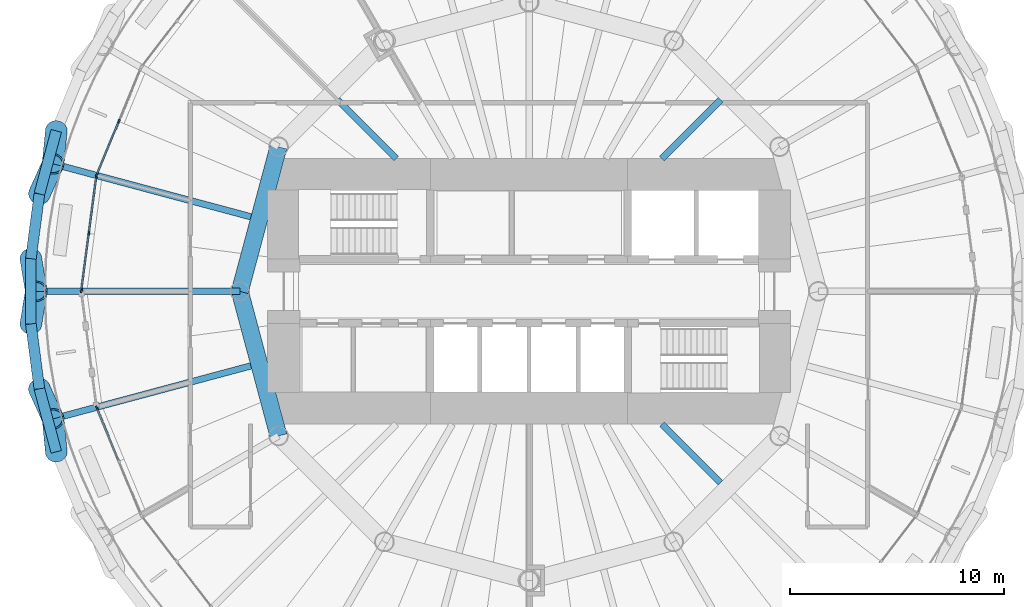
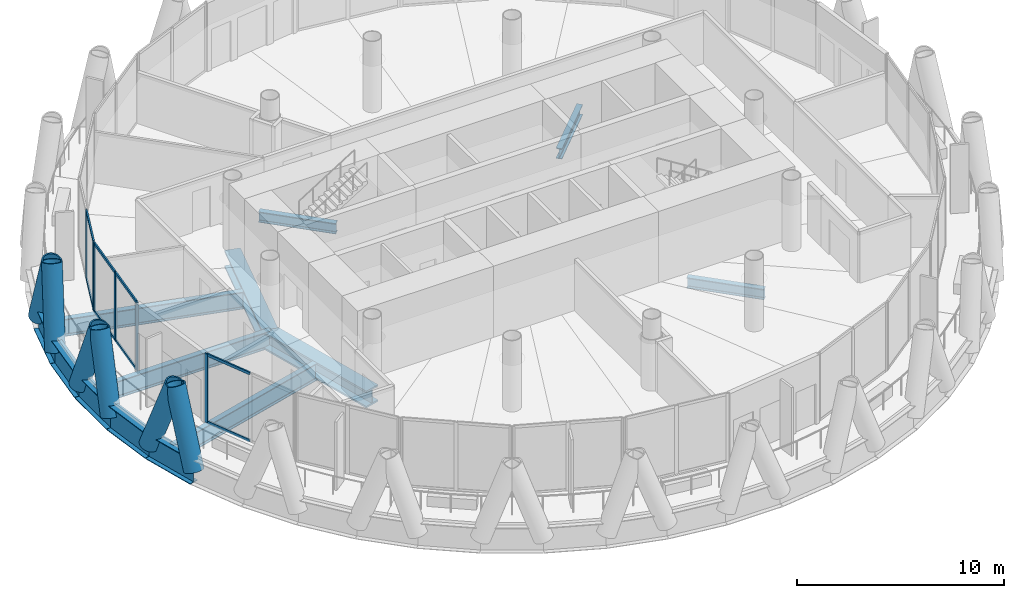
# One storey, part 3 of 14: 20 members, 13 beams, 3 elements without a shape of their own.
"""IFC4 building model written with IfcOpenShell, lengths in metres."""

from ifc_helpers import new_model, si_unit, direction, frame, origin, origin_2d, place, context, subcontext, project, spatial, rectangle, hollow_circle, i_section, extrude, material, material_profile, profile_set, type_object, element, aggregate, save


model = new_model("IFC4")

# Units and contexts
model_context = context("Model", 3, precision=1e-05, world=origin(), true_north=direction((0.0, 1.0)))
body_context = subcontext(model_context, "Body", "Model", "MODEL_VIEW")
ifc_project = project(units=[si_unit("LENGTHUNIT", "METRE"), si_unit("AREAUNIT", "SQUARE_METRE"), si_unit("VOLUMEUNIT", "CUBIC_METRE"), si_unit("PLANEANGLEUNIT", "RADIAN"), si_unit("MASSUNIT", "GRAM", prefix="KILO")], contexts=[model_context])

# Site, building, storey
site_placement = place(None, origin())
site = spatial("IfcSite", under=ifc_project, at=site_placement, CompositionType="ELEMENT")
building_placement = place(site_placement, origin())
building = spatial("IfcBuilding", under=site, at=building_placement, Name="Qaws Media Tower", CompositionType="ELEMENT")
storey_placement = place(building_placement, frame((0.0, 0.0, 206.60009765625)))
storey = spatial("IfcBuildingStorey", under=building, at=storey_placement, Name="L47", CompositionType="ELEMENT", Elevation=206.60009765625)

# Curtain wall, members
ifc_material_1 = material(Name="Aluminium and clear glass", Category="aluminium")
curtain_wall_type = type_object("IfcCurtainWallType", Name="Unitised curtain wall CW-C", PredefinedType="NOTDEFINED", material=ifc_material_1)
curtain_wall_1_placement = place(storey_placement, origin())
curtain_wall_1 = element("IfcCurtainWall", 1, at=curtain_wall_1_placement, inside=storey, type_object=curtain_wall_type, Name="CWC curtain wall L47-11", PredefinedType="NOTDEFINED")
ifc_material_2 = material(Name="Aluminium mullion", Category="aluminium")
ifc_material_profile_1 = material_profile(ifc_material_2, rectangle(XDim=0.080078125, YDim=0.199951171875, at=origin_2d()), Name="80x200")
ifc_profile_set_1 = profile_set([ifc_material_profile_1], Name="Aluminium mullion")
member_type_1 = type_object("IfcMemberType", Name="Curtain wall mullion 80x200", PredefinedType="MULLION", material=ifc_profile_set_1)
member_1_placement = place(storey_placement, frame((40.856201171875, 57.9296875, 0.0), z_axis=(0.0, 0.0, 1.0), x_axis=(0.92387952266, -0.382683456149, 0.0)))
member_1 = element("IfcMember", 2, at=member_1_placement, type_object=member_type_1, Name="CWC mullion 2", PredefinedType="MULLION", context=body_context, shape_type="SweptSolid", body=[
    extrude(rectangle(XDim=0.080078125, YDim=0.199951171875, at=origin_2d()), origin(), (0.0, 0.0, 1.0), 4.039794921875),
])
member_2_placement = place(storey_placement, frame((39.827392578125, 55.4462890625, 0.0), z_axis=(0.0, 0.0, 1.0), x_axis=(0.92387952266, -0.382683456149, 0.0)))
member_2 = element("IfcMember", 3, at=member_2_placement, type_object=member_type_1, Name="CWC mullion 3", PredefinedType="MULLION", context=body_context, shape_type="SweptSolid", body=[
    extrude(rectangle(XDim=0.080078125, YDim=0.199951171875, at=origin_2d()), origin(), (0.0, 0.0, 1.0), 4.039794921875),
])

curtain_wall_2_placement = place(storey_placement, origin())
curtain_wall_2 = element("IfcCurtainWall", 4, at=curtain_wall_2_placement, inside=storey, type_object=curtain_wall_type, Name="CWC curtain wall L47-12", PredefinedType="NOTDEFINED")
member_3_placement = place(storey_placement, frame((39.806884765625, 55.36962890625, 0.0), z_axis=(0.0, 0.0, 1.0), x_axis=(0.991444866709, -0.130526151694, 0.0)))
member_3 = element("IfcMember", 5, at=member_3_placement, type_object=member_type_1, Name="CWC mullion 1", PredefinedType="MULLION", context=body_context, shape_type="SweptSolid", body=[
    extrude(rectangle(XDim=0.080078125, YDim=0.199951171875, at=origin_2d()), origin(), (0.0, 0.0, 1.0), 4.039794921875),
])
member_4_placement = place(storey_placement, frame((39.4560546875, 52.70458984375, 0.0), z_axis=(0.0, 0.0, 1.0), x_axis=(0.991444866709, -0.130526151694, 0.0)))
member_4 = element("IfcMember", 6, at=member_4_placement, type_object=member_type_1, Name="CWC mullion 2", PredefinedType="MULLION", context=body_context, shape_type="SweptSolid", body=[
    extrude(rectangle(XDim=0.080078125, YDim=0.199951171875, at=origin_2d()), origin(), (0.0, 0.0, 1.0), 4.039794921875),
])
member_5_placement = place(storey_placement, frame((39.105224609375, 50.03955078125, 0.0), z_axis=(0.0, 0.0, 1.0), x_axis=(0.991444866709, -0.130526151694, 0.0)))
member_5 = element("IfcMember", 7, at=member_5_placement, type_object=member_type_1, Name="CWC mullion 3", PredefinedType="MULLION", context=body_context, shape_type="SweptSolid", body=[
    extrude(rectangle(XDim=0.080078125, YDim=0.199951171875, at=origin_2d()), origin(), (0.0, 0.0, 1.0), 4.039794921875),
])

# Curtain wall, member
curtain_wall_3_placement = place(storey_placement, origin())
curtain_wall_3 = element("IfcCurtainWall", 8, at=curtain_wall_3_placement, inside=storey, type_object=curtain_wall_type, Name="CWC curtain wall L47-14", PredefinedType="NOTDEFINED")
member_6_placement = place(storey_placement, frame((39.827392578125, 44.5537109375, 0.0), z_axis=(0.0, 0.0, 1.0), x_axis=(0.92387952266, 0.382683456149, 0.0)))
member_6 = element("IfcMember", 9, at=member_6_placement, type_object=member_type_1, Name="CWC mullion 1", PredefinedType="MULLION", context=body_context, shape_type="SweptSolid", body=[
    extrude(rectangle(XDim=0.080078125, YDim=0.199951171875, at=origin_2d()), origin(), (0.0, 0.0, 1.0), 4.039794921875),
])

# Member
ifc_material_3 = material(Name="Aluminium transom", Category="aluminium")
ifc_material_profile_2 = material_profile(ifc_material_3, rectangle(XDim=0.080078125, YDim=0.159912109375, at=origin_2d()), Name="80x160")
ifc_profile_set_2 = profile_set([ifc_material_profile_2], Name="Aluminium transom")
member_type_2 = type_object("IfcMemberType", Name="Curtain wall transom 80x160", PredefinedType="USERDEFINED", material=ifc_profile_set_2)
member_7_placement = place(storey_placement, frame((40.8408203125, 57.892822265625, 0.039794921875), z_axis=(-0.382660432893, -0.923889058869, 0.0), x_axis=(0.923889058869, -0.382660432893, 0.0)))
member_7 = element("IfcMember", 10, at=member_7_placement, type_object=member_type_2, Name="CWC transom 2.1", ObjectType="TRANSOM", PredefinedType="USERDEFINED", context=body_context, shape_type="SweptSolid", body=[
    extrude(rectangle(XDim=0.080078125, YDim=0.159912109375, at=origin_2d()), origin(), (0.0, 0.0, 1.0), 2.608154296875),
])

member_8_placement = place(storey_placement, frame((40.8408203125, 57.892822265625, 4.0), z_axis=(-0.382660432893, -0.923889058869, 0.0), x_axis=(0.923889058869, -0.382660432893, 0.0)))
member_8 = element("IfcMember", 11, at=member_8_placement, type_object=member_type_2, Name="CWC transom 2.2", ObjectType="TRANSOM", PredefinedType="USERDEFINED", context=body_context, shape_type="SweptSolid", body=[
    extrude(rectangle(XDim=0.080078125, YDim=0.159912109375, at=origin_2d()), origin(), (0.0, 0.0, 1.0), 2.608154296875),
])

aggregate(curtain_wall_1, [member_1, member_2, member_7, member_8])

member_9_placement = place(storey_placement, frame((39.8017578125, 55.330078125, 0.039794921875), z_axis=(-0.130587695544, -0.991436762367, 0.0), x_axis=(0.991436762367, -0.130587695544, 0.0)))
member_9 = element("IfcMember", 12, at=member_9_placement, type_object=member_type_2, Name="CWC transom 1.1", ObjectType="TRANSOM", PredefinedType="USERDEFINED", context=body_context, shape_type="SweptSolid", body=[
    extrude(rectangle(XDim=0.080078125, YDim=0.159912109375, at=origin_2d()), origin(), (0.0, 0.0, 1.0), 2.60791015625),
])

member_10_placement = place(storey_placement, frame((39.8017578125, 55.330078125, 4.0), z_axis=(-0.130587695544, -0.991436762367, 0.0), x_axis=(0.991436762367, -0.130587695544, 0.0)))
member_10 = element("IfcMember", 13, at=member_10_placement, type_object=member_type_2, Name="CWC transom 1.2", ObjectType="TRANSOM", PredefinedType="USERDEFINED", context=body_context, shape_type="SweptSolid", body=[
    extrude(rectangle(XDim=0.080078125, YDim=0.159912109375, at=origin_2d()), origin(), (0.0, 0.0, 1.0), 2.60791015625),
])

member_11_placement = place(storey_placement, frame((39.450927734375, 52.6650390625, 0.039794921875), z_axis=(-0.130587695544, -0.991436762367, 0.0), x_axis=(0.991436762367, -0.130587695544, 0.0)))
member_11 = element("IfcMember", 14, at=member_11_placement, type_object=member_type_2, Name="CWC transom 2.1", ObjectType="TRANSOM", PredefinedType="USERDEFINED", context=body_context, shape_type="SweptSolid", body=[
    extrude(rectangle(XDim=0.080078125, YDim=0.159912109375, at=origin_2d()), origin(), (0.0, 0.0, 1.0), 2.60791015625),
])

member_12_placement = place(storey_placement, frame((39.450927734375, 52.6650390625, 4.0), z_axis=(-0.130587695544, -0.991436762367, 0.0), x_axis=(0.991436762367, -0.130587695544, 0.0)))
member_12 = element("IfcMember", 15, at=member_12_placement, type_object=member_type_2, Name="CWC transom 2.2", ObjectType="TRANSOM", PredefinedType="USERDEFINED", context=body_context, shape_type="SweptSolid", body=[
    extrude(rectangle(XDim=0.080078125, YDim=0.159912109375, at=origin_2d()), origin(), (0.0, 0.0, 1.0), 2.60791015625),
])

aggregate(curtain_wall_2, [member_3, member_4, member_5, member_9, member_10, member_11, member_12])

member_13_placement = place(storey_placement, frame((39.8427734375, 44.516845703125, 0.039794921875), z_axis=(0.382660432893, -0.923889058869, 0.0), x_axis=(0.923889058869, 0.382660432893, 0.0)))
member_13 = element("IfcMember", 16, at=member_13_placement, type_object=member_type_2, Name="CWC transom 1.1", ObjectType="TRANSOM", PredefinedType="USERDEFINED", context=body_context, shape_type="SweptSolid", body=[
    extrude(rectangle(XDim=0.080078125, YDim=0.159912109375, at=origin_2d()), origin(), (0.0, 0.0, 1.0), 2.608154296875),
])

member_14_placement = place(storey_placement, frame((39.8427734375, 44.516845703125, 4.0), z_axis=(0.382660432893, -0.923889058869, 0.0), x_axis=(0.923889058869, 0.382660432893, 0.0)))
member_14 = element("IfcMember", 17, at=member_14_placement, type_object=member_type_2, Name="CWC transom 1.2", ObjectType="TRANSOM", PredefinedType="USERDEFINED", context=body_context, shape_type="SweptSolid", body=[
    extrude(rectangle(XDim=0.080078125, YDim=0.159912109375, at=origin_2d()), origin(), (0.0, 0.0, 1.0), 2.608154296875),
])

aggregate(curtain_wall_3, [member_6, member_13, member_14])

# Members
ifc_material_4 = material(Name="Steel S460", Category="steel")
ifc_material_profile_3 = material_profile(ifc_material_4, hollow_circle(Radius=0.508056640625, WallThickness=0.070068359375, at=origin_2d()), Name="CHS 1016x70")
ifc_profile_set_3 = profile_set([ifc_material_profile_3], Name="Steel S460")
member_type_3 = type_object("IfcMemberType", Name="Diagrid member CHS 1016x70", PredefinedType="USERDEFINED", material=ifc_profile_set_3)
for number, where, z_axis, x_axis, name in (
    (18, (37.9365234375, 57.489501953125, -0.91015625), (-0.034153665458, -0.343391645998, 0.938571097251), (0.99509027013, -0.098971482221, 0.0), "DG3 diagrid L47 A11"),
    (19, (36.75, 51.52392578125, -0.91015625), (0.055867575283, -0.340552153241, 0.938564353124), (0.986809454088, 0.161886075134, 0.0), "DG3 diagrid L47 A12"),
    (20, (37.147705078125, 54.545654296875, -0.91015625), (0.142124356415, 0.314474007821, 0.938566335279), (-0.911257699186, 0.411836624979, 0.0), "DG3 diagrid L47 B12"),
    (21, (37.147705078125, 45.454345703125, -0.91015625), (0.142124356415, -0.314474007821, 0.938566335279), (0.911257699186, 0.411836624979, 0.0), "DG3 diagrid L47 A13"),
    (22, (36.75, 48.47607421875, -0.91015625), (0.055867575283, 0.340552153241, 0.938564353124), (-0.986809454088, 0.161886075134, 0.0), "DG3 diagrid L47 B13"),
    (23, (37.9365234375, 42.510498046875, -0.91015625), (-0.034153665458, 0.343391645998, 0.938571097251), (-0.99509027013, -0.098971482221, 0.0), "DG3 diagrid L47 B14"),
):
    element("IfcMember", number, at=place(storey_placement, frame(where, z_axis=z_axis, x_axis=x_axis)), inside=storey, type_object=member_type_3, Name=name, ObjectType="DIAGRID", PredefinedType="USERDEFINED", context=body_context, shape_type="SweptSolid", body=[
        extrude(hollow_circle(Radius=0.508056640625, WallThickness=0.070068359375, at=origin_2d()), origin(), (0.0, 0.0, 1.0), 4.474853515625),
    ])

# Beams
ifc_material_5 = material(Name="Steel S460", Category="steel")
ifc_material_profile_4 = material_profile(ifc_material_5, i_section(OverallWidth=0.5, OverallDepth=1.5, WebThickness=0.02001953125, FlangeThickness=0.0400390625, at=origin_2d()), Name="PG 1500x500")
ifc_profile_set_4 = profile_set([ifc_material_profile_4], Name="Steel S460")
beam_type_1 = type_object("IfcBeamType", Name="Edge ring beam PG 1500x500", PredefinedType="BEAM", material=ifc_profile_set_4)
beam_1_placement = place(storey_placement, frame((37.9365234375, 57.489501953125, -0.91015625), z_axis=(-0.258824175106, -0.965924451694, 0.0), x_axis=(0.965924451694, -0.258824175106, 0.0)))
element("IfcBeam", 24, at=beam_1_placement, inside=storey, type_object=beam_type_1, Name="RB4 edge ring beam L47-22", PredefinedType="BEAM", context=body_context, shape_type="SweptSolid", body=[
    extrude(i_section(OverallWidth=0.5, OverallDepth=1.5, WebThickness=0.02001953125, FlangeThickness=0.0400390625, at=origin_2d()), origin(), (0.0, 0.0, 1.0), 3.047607421875),
])
for number, where, z_axis, x_axis, name in (
    (25, (37.147705078125, 54.545654296875, -0.91015625), (-0.130489738706, -0.991449659888, 0.0), (0.991449659888, -0.130489738706, 0.0), "RB4 edge ring beam L47-23"),
    (26, (36.75, 51.52392578125, -0.91015625), (0.0, -1.0, 0.0), (1.0, 0.0, 0.0), "RB4 edge ring beam L47-24"),
    (27, (36.75, 48.47607421875, -0.91015625), (0.130489738706, -0.991449659888, 0.0), (0.991449659888, 0.130489738706, 0.0), "RB4 edge ring beam L47-25"),
):
    element("IfcBeam", number, at=place(storey_placement, frame(where, z_axis=z_axis, x_axis=x_axis)), inside=storey, type_object=beam_type_1, Name=name, PredefinedType="BEAM", context=body_context, shape_type="SweptSolid", body=[
        extrude(i_section(OverallWidth=0.5, OverallDepth=1.5, WebThickness=0.02001953125, FlangeThickness=0.0400390625, at=origin_2d()), origin(), (0.0, 0.0, 1.0), 3.0478515625),
    ])
beam_2_placement = place(storey_placement, frame((37.147705078125, 45.454345703125, -0.91015625), z_axis=(0.258824175106, -0.965924451694, 0.0), x_axis=(0.965924451694, 0.258824175106, 0.0)))
element("IfcBeam", 28, at=beam_2_placement, inside=storey, type_object=beam_type_1, Name="RB4 edge ring beam L47-26", PredefinedType="BEAM", context=body_context, shape_type="SweptSolid", body=[
    extrude(i_section(OverallWidth=0.5, OverallDepth=1.5, WebThickness=0.02001953125, FlangeThickness=0.0400390625, at=origin_2d()), origin(), (0.0, 0.0, 1.0), 3.047607421875),
])
ifc_material_6 = material(Name="Steel S460", Category="steel")
ifc_material_profile_5 = material_profile(ifc_material_6, i_section(OverallWidth=0.800048828125, OverallDepth=1.0, WebThickness=0.0400390625, FlangeThickness=0.10009765625, at=origin_2d()), Name="PG 1000x800")
ifc_profile_set_5 = profile_set([ifc_material_profile_5], Name="Steel S460")
beam_type_2 = type_object("IfcBeamType", Name="Inner ring girder PG 1000x800", PredefinedType="BEAM", material=ifc_profile_set_5)
for number, where, z_axis, x_axis, name in (
    (29, (48.30859375, 56.75, -0.66015625), (-0.258810593767, -0.965928090778, 0.0), (0.965928090778, -0.258810593767, 0.0), "B3 inner ring beam L47 I06-I07"),
    (30, (46.5, 50.0, -0.66015625), (0.258810593767, -0.965928090778, 0.0), (0.965928090778, 0.258810593767, 0.0), "B3 inner ring beam L47 I07-I08"),
):
    element("IfcBeam", number, at=place(storey_placement, frame(where, z_axis=z_axis, x_axis=x_axis)), inside=storey, type_object=beam_type_2, Name=name, PredefinedType="BEAM", context=body_context, shape_type="SweptSolid", body=[
        extrude(i_section(OverallWidth=0.800048828125, OverallDepth=1.0, WebThickness=0.0400390625, FlangeThickness=0.10009765625, at=origin_2d()), origin(), (0.0, 0.0, 1.0), 6.988037109375),
    ])
ifc_material_7 = material(Name="Steel S355", Category="steel")
ifc_material_profile_6 = material_profile(ifc_material_7, i_section(OverallWidth=0.302001953125, OverallDepth=1.008056640625, WebThickness=0.02099609375, FlangeThickness=0.0400390625, FilletRadius=0.030029296875, at=origin_2d()), Name="HE 1000 M")
ifc_profile_set_6 = profile_set([ifc_material_profile_6], Name="Steel S355")
beam_type_3 = type_object("IfcBeamType", Name="Radial beam HE 1000 M", PredefinedType="BEAM", material=ifc_profile_set_6)
beam_3_placement = place(storey_placement, frame((47.01806640625, 53.478515625, -0.6640625), z_axis=(-0.965925278817, 0.258821088287, 0.0), x_axis=(-0.258821088287, -0.965925278817, 0.0)))
element("IfcBeam", 31, at=beam_3_placement, inside=storey, type_object=beam_type_3, Name="B1 radial beam L47 12", PredefinedType="BEAM", context=body_context, shape_type="SweptSolid", body=[
    extrude(i_section(OverallWidth=0.302001953125, OverallDepth=1.008056640625, WebThickness=0.02099609375, FlangeThickness=0.0400390625, FilletRadius=0.030029296875, at=origin_2d()), origin(), (0.0, 0.0, 1.0), 9.81005859375),
])
beam_4_placement = place(storey_placement, frame((46.5, 50.0, -0.6640625), z_axis=(-1.0, 0.0, 0.0), x_axis=(0.0, -1.0, 0.0)))
element("IfcBeam", 32, at=beam_4_placement, inside=storey, type_object=beam_type_3, Name="B1 radial beam L47 13", PredefinedType="BEAM", context=body_context, shape_type="SweptSolid", body=[
    extrude(i_section(OverallWidth=0.302001953125, OverallDepth=1.008056640625, WebThickness=0.02099609375, FlangeThickness=0.0400390625, FilletRadius=0.030029296875, at=origin_2d()), origin(), (0.0, 0.0, 1.0), 9.75),
])
beam_5_placement = place(storey_placement, frame((47.01806640625, 46.521484375, -0.6640625), z_axis=(-0.965925278817, -0.258821088287, 0.0), x_axis=(0.258821088287, -0.965925278817, 0.0)))
element("IfcBeam", 33, at=beam_5_placement, inside=storey, type_object=beam_type_3, Name="B1 radial beam L47 14", PredefinedType="BEAM", context=body_context, shape_type="SweptSolid", body=[
    extrude(i_section(OverallWidth=0.302001953125, OverallDepth=1.008056640625, WebThickness=0.02099609375, FlangeThickness=0.0400390625, FilletRadius=0.030029296875, at=origin_2d()), origin(), (0.0, 0.0, 1.0), 9.81005859375),
])
ifc_material_8 = material(Name="Steel S355", Category="steel")
ifc_material_profile_7 = material_profile(ifc_material_8, i_section(OverallWidth=0.304931640625, OverallDepth=0.6201171875, WebThickness=0.02099609375, FlangeThickness=0.0400390625, FilletRadius=0.027099609375, at=origin_2d()), Name="HE 600 M")
ifc_profile_set_7 = profile_set([ifc_material_profile_7], Name="Steel S355")
beam_type_4 = type_object("IfcBeamType", Name="Radial beam HE 600 M, core side", PredefinedType="BEAM", material=ifc_profile_set_7)
for number, where, z_axis, x_axis, name in (
    (34, (66.199951171875, 56.199951171875, -0.47021484375), (0.707106781187, 0.707106781187, 0.0), (-0.707106781187, 0.707106781187, 0.0), "B2 radial beam L47 04"),
    (35, (53.800048828125, 56.199951171875, -0.47021484375), (-0.707106781187, 0.707106781187, 0.0), (-0.707106781187, -0.707106781187, 0.0), "B2 radial beam L47 10"),
    (36, (66.199951171875, 43.800048828125, -0.47021484375), (0.707106781187, -0.707106781187, 0.0), (0.707106781187, 0.707106781187, 0.0), "B2 radial beam L47 22"),
):
    element("IfcBeam", number, at=place(storey_placement, frame(where, z_axis=z_axis, x_axis=x_axis)), inside=storey, type_object=beam_type_4, Name=name, PredefinedType="BEAM", context=body_context, shape_type="SweptSolid", body=[
        extrude(i_section(OverallWidth=0.304931640625, OverallDepth=0.6201171875, WebThickness=0.02099609375, FlangeThickness=0.0400390625, FilletRadius=0.027099609375, at=origin_2d()), origin(), (0.0, 0.0, 1.0), 3.871826171875),
    ])

save(model, "model.ifc")
